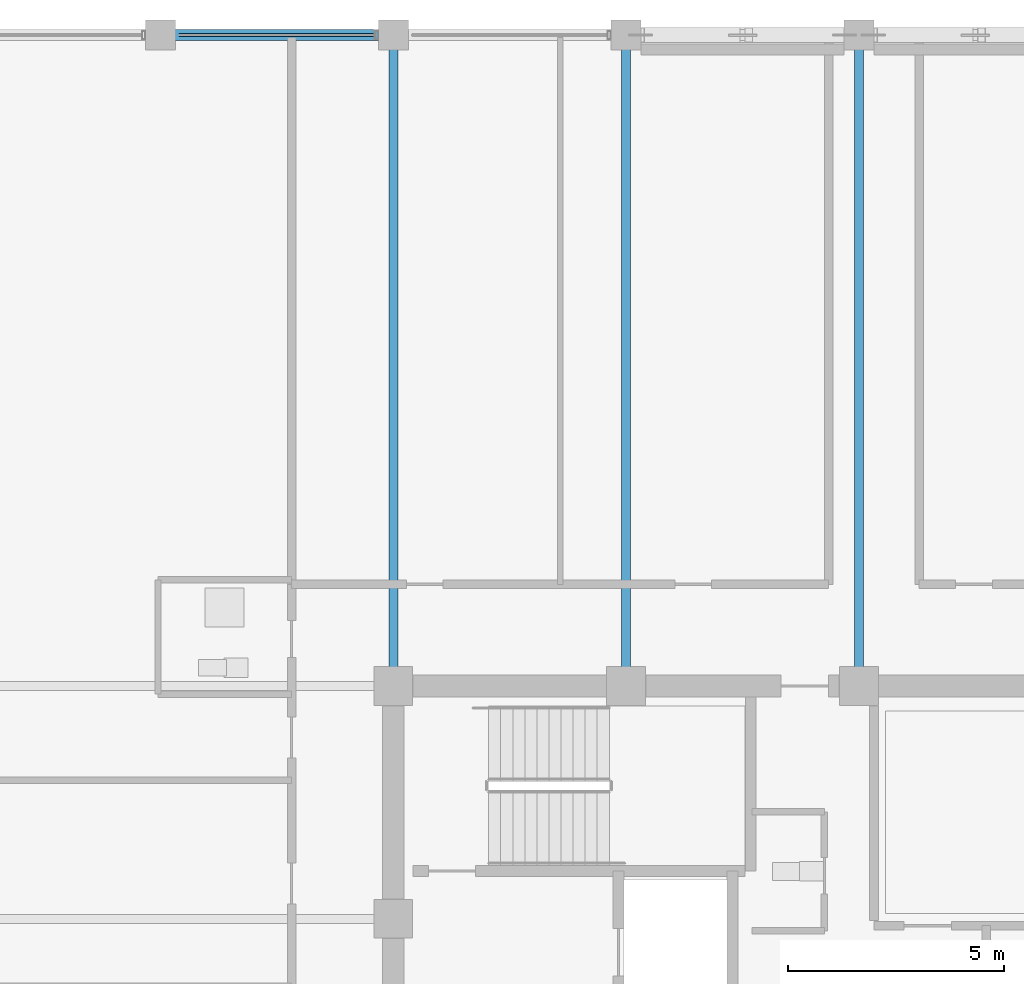
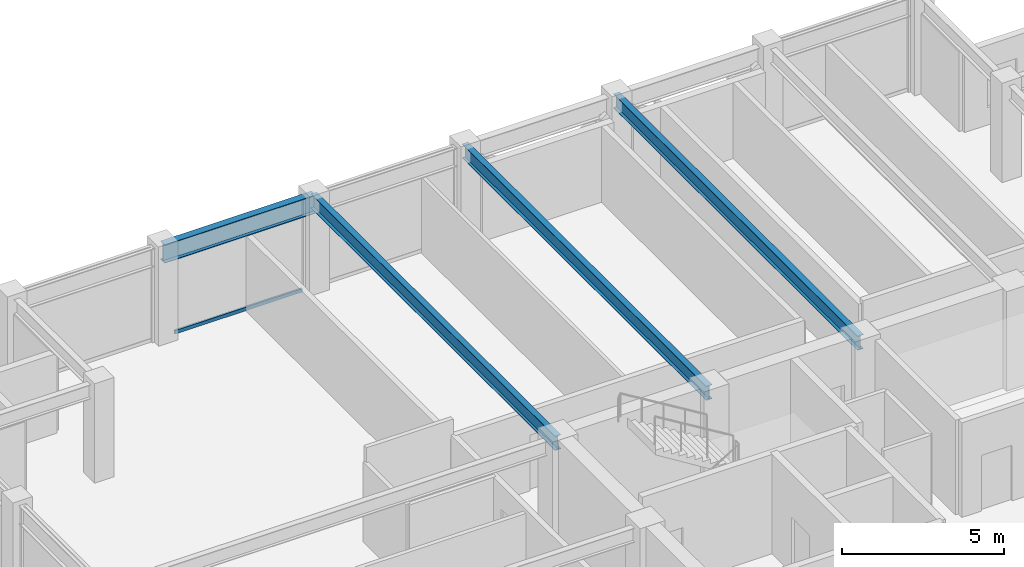
# One storey, part 15 of 29: 4 beams, 1 member, 1 element without a shape of its own.
"""IFC4 building model written with IfcOpenShell, lengths in metres."""

from ifc_helpers import new_model, si_unit, direction, frame, origin, origin_2d, place, context, subcontext, project, spatial, hollow_rectangle, i_section, extrude, material, layer, layer_set, material_profile, profile_set, type_object, element, aggregate, save


model = new_model("IFC4")

# Units and contexts
model_context = context("Model", 3, precision=1e-05, world=origin(), true_north=direction((0.0, 1.0)))
body_context = subcontext(model_context, "Body", "Model", "MODEL_VIEW")
ifc_project = project(units=[si_unit("LENGTHUNIT", "METRE"), si_unit("AREAUNIT", "SQUARE_METRE"), si_unit("VOLUMEUNIT", "CUBIC_METRE"), si_unit("PLANEANGLEUNIT", "RADIAN"), si_unit("MASSUNIT", "GRAM", prefix="KILO")], contexts=[model_context])

# Site, building, storey
site_placement = place(None, origin())
site = spatial("IfcSite", under=ifc_project, at=site_placement, CompositionType="ELEMENT")
building_placement = place(site_placement, origin())
building = spatial("IfcBuilding", under=site, at=building_placement, Name="Surkhivell Harbour Commons", CompositionType="ELEMENT")
storey_placement = place(building_placement, frame((0.0, 0.0, 326.25)))
storey = spatial("IfcBuildingStorey", under=building, at=storey_placement, Name="L85", CompositionType="ELEMENT", Elevation=326.25)

# Beams
ifc_material_1 = material(Name="Steel S355", Category="steel")
ifc_material_profile_1 = material_profile(ifc_material_1, i_section(OverallWidth=0.2099609375, OverallDepth=0.537109375, WebThickness=0.0107421875, FlangeThickness=0.017333984375, at=origin_2d()), Name="UB533x210x101")
ifc_profile_set_1 = profile_set([ifc_material_profile_1], Name="Steel S355")
beam_type_1 = type_object("IfcBeamType", Name="BM-GRD-533B", PredefinedType="BEAM", material=ifc_profile_set_1)
for number, where, z_axis, x_axis, name in (
    (1, (-10.800048828125, 10.800048828125, 3.301513671875), (0.0, 1.0, 0.0), (-1.0, 0.0, 0.0), "L85 Floor Girder (-10.8,10.8)"),
    (2, (-5.39990234375, 10.800048828125, 3.301513671875), (0.0, 1.0, 0.0), (-1.0, 0.0, 0.0), "L85 Floor Girder (-5.4,10.8)"),
    (3, (0.0, 10.800048828125, 3.301513671875), (0.0, 1.0, 0.0), (-1.0, 0.0, 0.0), "L85 Floor Girder (0.0,10.8)"),
):
    element("IfcBeam", number, at=place(storey_placement, frame(where, z_axis=z_axis, x_axis=x_axis)), inside=storey, type_object=beam_type_1, Name=name, PredefinedType="BEAM", context=body_context, shape_type="SweptSolid", body=[
        extrude(i_section(OverallWidth=0.2099609375, OverallDepth=0.537109375, WebThickness=0.0107421875, FlangeThickness=0.017333984375, at=origin_2d()), origin(), (0.0, 0.0, 1.0), 15.099853515625),
    ])
ifc_material_profile_2 = material_profile(ifc_material_1, i_section(OverallWidth=0.256103515625, OverallDepth=0.693115234375, WebThickness=0.014404296875, FlangeThickness=0.023681640625, at=origin_2d()), Name="UB686x254x170")
ifc_profile_set_2 = profile_set([ifc_material_profile_2], Name="Steel S355")
beam_type_2 = type_object("IfcBeamType", Name="BM-SPN-686", PredefinedType="SPANDREL", material=ifc_profile_set_2)
beam_placement = place(storey_placement, frame((-16.199951171875, 25.89990234375, 3.223388671875), z_axis=(1.0, 0.0, 0.0), x_axis=(0.0, 1.0, 0.0)))
element("IfcBeam", 4, at=beam_placement, inside=storey, type_object=beam_type_2, Name="L85 Tube Spandrel (-16.2,25.9)", PredefinedType="SPANDREL", context=body_context, shape_type="SweptSolid", body=[
    extrude(i_section(OverallWidth=0.256103515625, OverallDepth=0.693115234375, WebThickness=0.014404296875, FlangeThickness=0.023681640625, at=origin_2d()), origin(), (0.0, 0.0, 1.0), 5.39990234375),
])

# Curtain wall, member
ifc_material_2 = material(Name="Anodised pale-metal aluminium and insulated glazing", Category="aluminium")
ifc_layer = layer(ifc_material_2, 0.175048828125)
ifc_layer_set = layer_set([ifc_layer], Name="Anodised pale-metal aluminium and insulated glazing")
curtain_wall_type = type_object("IfcCurtainWallType", Name="CW-SYS-Z4", PredefinedType="NOTDEFINED", material=ifc_layer_set)
curtain_wall_placement = place(storey_placement, origin())
curtain_wall = element("IfcCurtainWall", 5, at=curtain_wall_placement, inside=storey, type_object=curtain_wall_type, Name="L85 Curtain Wall CW-L85-E07S2", PredefinedType="NOTDEFINED")
ifc_material_3 = material(Name="Champagne anodised aluminium alloy 6063-T6", Category="aluminium")
ifc_material_profile_3 = material_profile(ifc_material_3, hollow_rectangle(XDim=0.070068359375, YDim=0.1298828125, WallThickness=0.00341796875, at=origin_2d()), Name="ALU-TRAN-70x130")
ifc_profile_set_3 = profile_set([ifc_material_profile_3], Name="Champagne anodised aluminium alloy 6063-T6")
member_type = type_object("IfcMemberType", Name="CWT-130", PredefinedType="USERDEFINED", material=ifc_profile_set_3)
member_placement = place(storey_placement, frame((-11.22705078125, 25.89990234375, 0.06494140625), z_axis=(-1.0, 0.0, 0.0), x_axis=(0.0, -1.0, 0.0)))
member = element("IfcMember", 6, at=member_placement, type_object=member_type, Name="CW-Z4 transom 2.1", ObjectType="TRANSOM", PredefinedType="USERDEFINED", context=body_context, shape_type="SweptSolid", body=[
    extrude(hollow_rectangle(XDim=0.070068359375, YDim=0.1298828125, WallThickness=0.00341796875, at=origin_2d()), origin(), (0.0, 0.0, 1.0), 4.5458984375),
])
aggregate(curtain_wall, [member])

save(model, "model.ifc")
